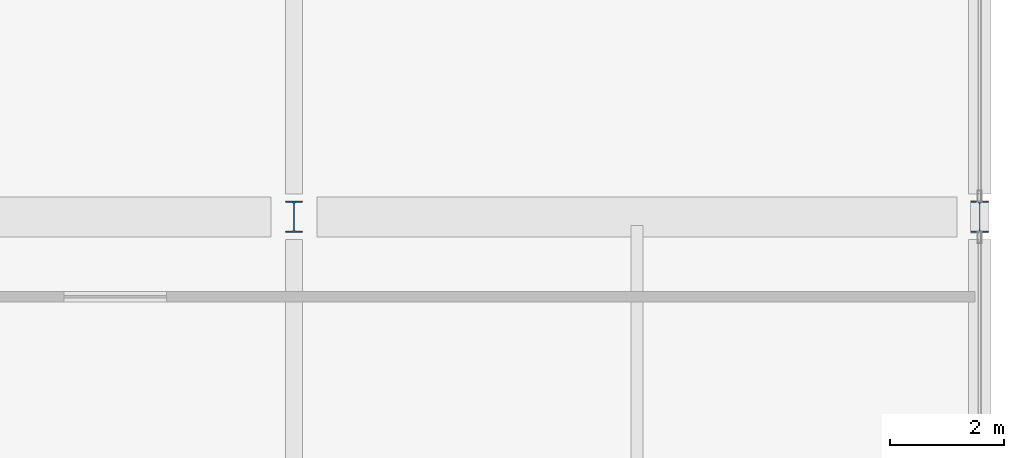
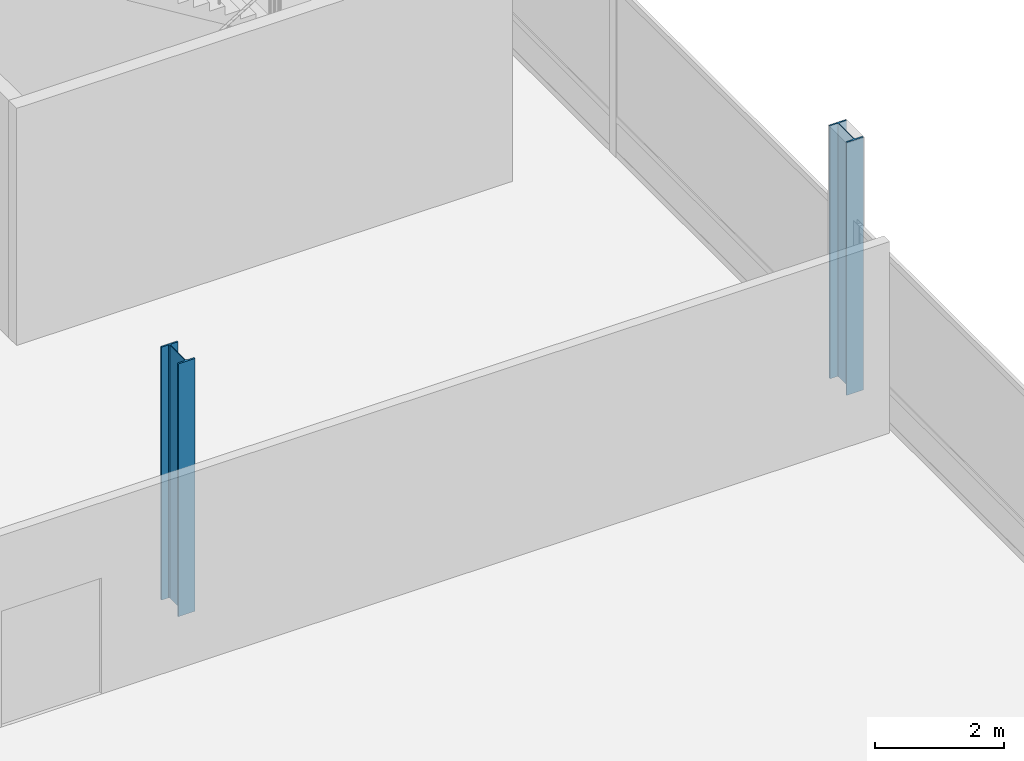
# One storey, part 20 of 220: 2 columns.
"""IFC4 building model written with IfcOpenShell, lengths in metres."""

from ifc_helpers import new_model, si_unit, direction, frame, origin, origin_2d, place, context, subcontext, project, spatial, i_section, extrude, material, material_profile, profile_set, type_object, element, save


model = new_model("IFC4")

# Units and contexts
model_context = context("Model", 3, precision=1e-05, world=origin(), true_north=direction((0.0, 1.0)))
body_context = subcontext(model_context, "Body", "Model", "MODEL_VIEW")
ifc_project = project(units=[si_unit("LENGTHUNIT", "METRE"), si_unit("AREAUNIT", "SQUARE_METRE"), si_unit("VOLUMEUNIT", "CUBIC_METRE"), si_unit("PLANEANGLEUNIT", "RADIAN"), si_unit("MASSUNIT", "GRAM", prefix="KILO")], contexts=[model_context])

# Site, building, storey
site_placement = place(None, origin())
site = spatial("IfcSite", under=ifc_project, at=site_placement, CompositionType="ELEMENT")
building_placement = place(site_placement, origin())
building = spatial("IfcBuilding", under=site, at=building_placement, Name="Cendralis Lancet Convention Centre", CompositionType="ELEMENT")
storey_placement = place(building_placement, frame((0.0, 0.0, 5.39990234375)))
storey = spatial("IfcBuildingStorey", under=building, at=storey_placement, Name="L01", CompositionType="ELEMENT", Elevation=5.39990234375)

# Columns
ifc_material = material(Name="Steel S355", Category="steel")
ifc_material_profile_1 = material_profile(ifc_material, i_section(OverallWidth=0.300048828125, OverallDepth=0.550048828125, WebThickness=0.014892578125, FlangeThickness=0.029052734375, FilletRadius=0.027099609375, at=origin_2d()), Name="HEB 550")
ifc_profile_set_1 = profile_set([ifc_material_profile_1], Name="Steel S355")
column_type_1 = type_object("IfcColumnType", Name="STR-COL-C22", PredefinedType="COLUMN", material=ifc_profile_set_1)
column_1_placement = place(storey_placement, frame((208.800048828125, 122.39990234375, 0.0), z_axis=(0.0, 0.0, 1.0), x_axis=(1.0, 0.0, 0.0)))
element("IfcColumn", 1, at=column_1_placement, inside=storey, type_object=column_type_1, Name="L01 Column C22 at 208.8,122.4", PredefinedType="COLUMN", context=body_context, shape_type="SweptSolid", body=[
    extrude(i_section(OverallWidth=0.300048828125, OverallDepth=0.550048828125, WebThickness=0.014892578125, FlangeThickness=0.029052734375, FilletRadius=0.027099609375, at=origin_2d()), origin(), (0.0, 0.0, 1.0), 4.800048828125),
])
ifc_material_profile_2 = material_profile(ifc_material, i_section(OverallWidth=0.300048828125, OverallDepth=0.550048828125, WebThickness=0.014892578125, FlangeThickness=0.029052734375, FilletRadius=0.027099609375, at=origin_2d()), Name="HEB 550")
ifc_profile_set_2 = profile_set([ifc_material_profile_2], Name="Steel S355")
column_type_2 = type_object("IfcColumnType", Name="STR-COL-C22-INT", PredefinedType="COLUMN", material=ifc_profile_set_2)
column_2_placement = place(storey_placement, frame((196.800048828125, 122.39990234375, 0.0), z_axis=(0.0, 0.0, 1.0), x_axis=(1.0, 0.0, 0.0)))
element("IfcColumn", 2, at=column_2_placement, inside=storey, type_object=column_type_2, Name="L01 Column C22 at 196.8,122.4", PredefinedType="COLUMN", context=body_context, shape_type="SweptSolid", body=[
    extrude(i_section(OverallWidth=0.300048828125, OverallDepth=0.550048828125, WebThickness=0.014892578125, FlangeThickness=0.029052734375, FilletRadius=0.027099609375, at=origin_2d()), origin(), (0.0, 0.0, 1.0), 4.800048828125),
])

save(model, "model.ifc")
